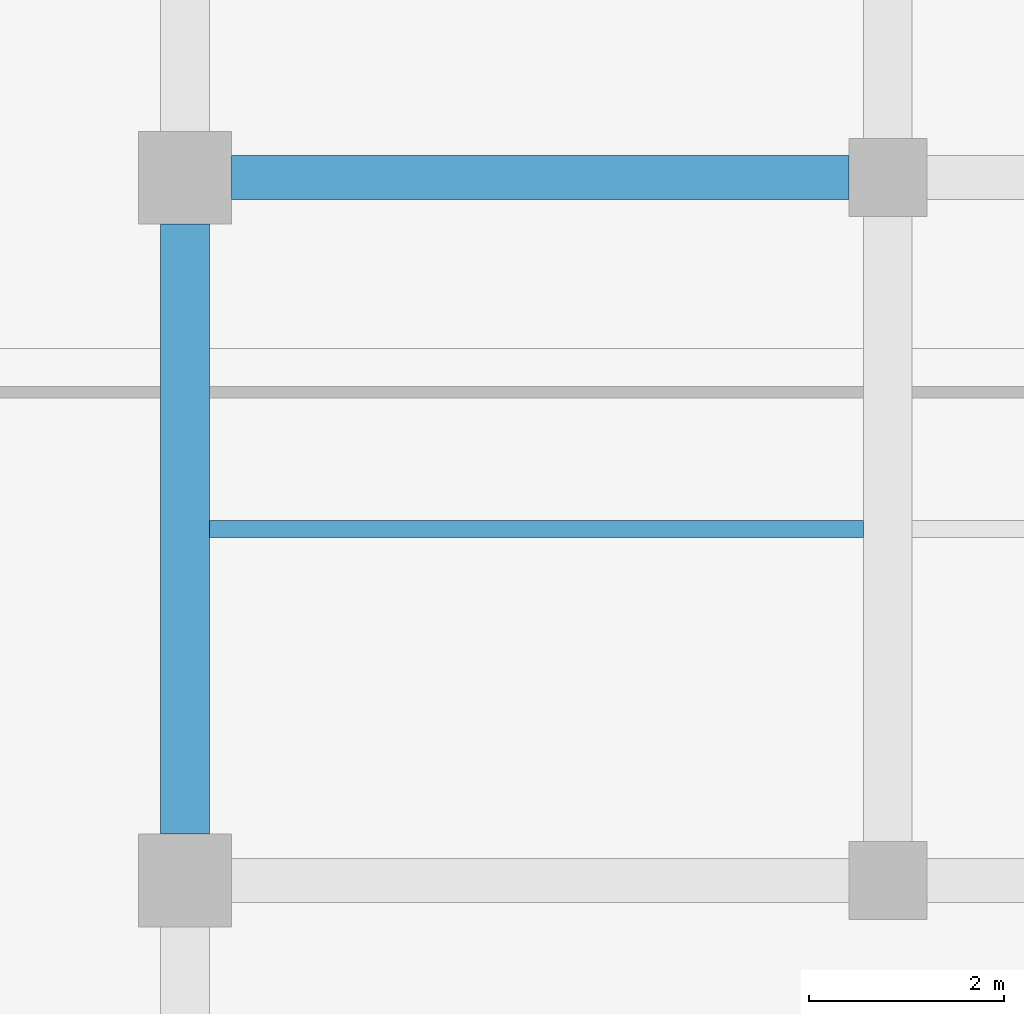
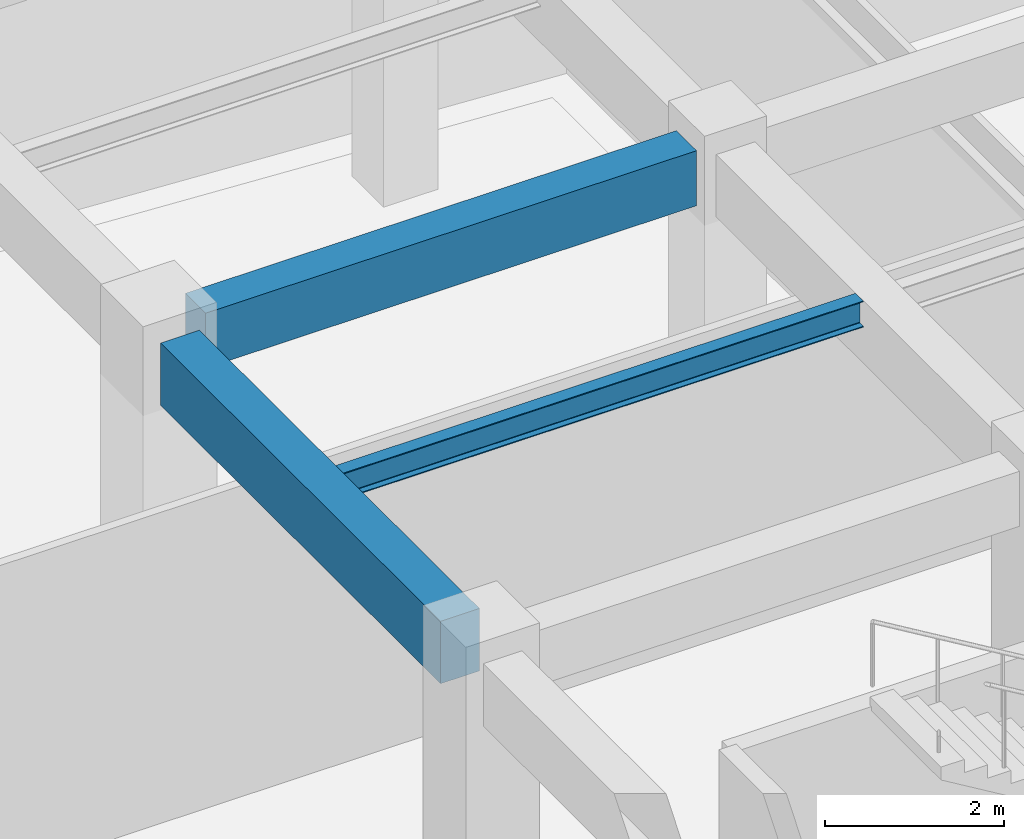
# One storey, part 50 of 102: 3 beams.
"""IFC4 building model written with IfcOpenShell, lengths in metres."""

from ifc_helpers import new_model, si_unit, direction, frame, origin, origin_2d, place, context, subcontext, project, spatial, rectangle, i_section, extrude, material, material_profile, profile_set, type_object, element, save


model = new_model("IFC4")

# Units and contexts
model_context = context("Model", 3, precision=1e-05, world=origin(), true_north=direction((0.0, 1.0)))
body_context = subcontext(model_context, "Body", "Model", "MODEL_VIEW")
ifc_project = project(units=[si_unit("LENGTHUNIT", "METRE"), si_unit("AREAUNIT", "SQUARE_METRE"), si_unit("VOLUMEUNIT", "CUBIC_METRE"), si_unit("PLANEANGLEUNIT", "RADIAN"), si_unit("MASSUNIT", "GRAM", prefix="KILO")], contexts=[model_context])

# Site, building, storey
site_placement = place(None, origin())
site = spatial("IfcSite", under=ifc_project, at=site_placement, CompositionType="ELEMENT")
building_placement = place(site_placement, origin())
building = spatial("IfcBuilding", under=site, at=building_placement, Name="Carrowvane Square Congress Hotel", CompositionType="ELEMENT")
storey_placement = place(building_placement, origin())
storey = spatial("IfcBuildingStorey", under=building, at=storey_placement, Name="L00", CompositionType="ELEMENT", Elevation=0.0)

# Beams
ifc_material_1 = material(Name="Concrete C35/45", Category="concrete")
ifc_material_profile_1 = material_profile(ifc_material_1, rectangle(XDim=0.449951171875, YDim=0.75, at=origin_2d()), Name="RC 450x750")
ifc_profile_set_1 = profile_set([ifc_material_profile_1], Name="Concrete C35/45")
beam_type_1 = type_object("IfcBeamType", Name="BM-RC-450x750", PredefinedType="USERDEFINED", material=ifc_profile_set_1)
beam_1_placement = place(storey_placement, frame((134.47509765625, 106.199951171875, 4.72509765625), z_axis=(1.0, 0.0, 0.0), x_axis=(0.0, 1.0, 0.0)))
element("IfcBeam", 1, at=beam_1_placement, inside=storey, type_object=beam_type_1, Name="L01 girder Q/18-19", ObjectType="GIRDER", PredefinedType="USERDEFINED", context=body_context, shape_type="SweptSolid", body=[
    extrude(rectangle(XDim=0.449951171875, YDim=0.75, at=origin_2d()), origin(), (0.0, 0.0, 1.0), 6.324951171875),
])
ifc_material_2 = material(Name="Concrete C35/45", Category="concrete")
ifc_material_profile_2 = material_profile(ifc_material_2, rectangle(XDim=0.5, YDim=0.85009765625, at=origin_2d()), Name="RC 500x850")
ifc_profile_set_2 = profile_set([ifc_material_profile_2], Name="Concrete C35/45")
beam_type_2 = type_object("IfcBeamType", Name="BM-RC-500x850", PredefinedType="USERDEFINED", material=ifc_profile_set_2)
beam_2_placement = place(storey_placement, frame((134.0, 99.47509765625, 4.675048828125), z_axis=(0.0, 1.0, 0.0), x_axis=(-1.0, 0.0, 0.0)))
element("IfcBeam", 2, at=beam_2_placement, inside=storey, type_object=beam_type_2, Name="L01 girder 18/P-Q", ObjectType="GIRDER", PredefinedType="USERDEFINED", context=body_context, shape_type="SweptSolid", body=[
    extrude(rectangle(XDim=0.5, YDim=0.85009765625, at=origin_2d()), origin(), (0.0, 0.0, 1.0), 6.25),
])
ifc_material_3 = material(Name="Steel S355", Category="steel")
ifc_material_profile_3 = material_profile(ifc_material_3, i_section(OverallWidth=0.172119140625, OverallDepth=0.35791015625, WebThickness=0.008056640625, FlangeThickness=0.012939453125, FilletRadius=0.01025390625, at=origin_2d()), Name="UKB 356x171x57")
ifc_profile_set_3 = profile_set([ifc_material_profile_3], Name="Steel S355")
beam_type_3 = type_object("IfcBeamType", Name="BM-ST-UKB356", PredefinedType="JOIST", material=ifc_profile_set_3)
beam_3_placement = place(storey_placement, frame((134.25, 102.60009765625, 4.9208984375), z_axis=(1.0, 0.0, 0.0), x_axis=(0.0, 1.0, 0.0)))
element("IfcBeam", 3, at=beam_3_placement, inside=storey, type_object=beam_type_3, Name="L01 secondary joist 18-19", PredefinedType="JOIST", context=body_context, shape_type="SweptSolid", body=[
    extrude(i_section(OverallWidth=0.172119140625, OverallDepth=0.35791015625, WebThickness=0.008056640625, FlangeThickness=0.012939453125, FilletRadius=0.01025390625, at=origin_2d()), origin(), (0.0, 0.0, 1.0), 6.699951171875),
])

save(model, "model.ifc")
